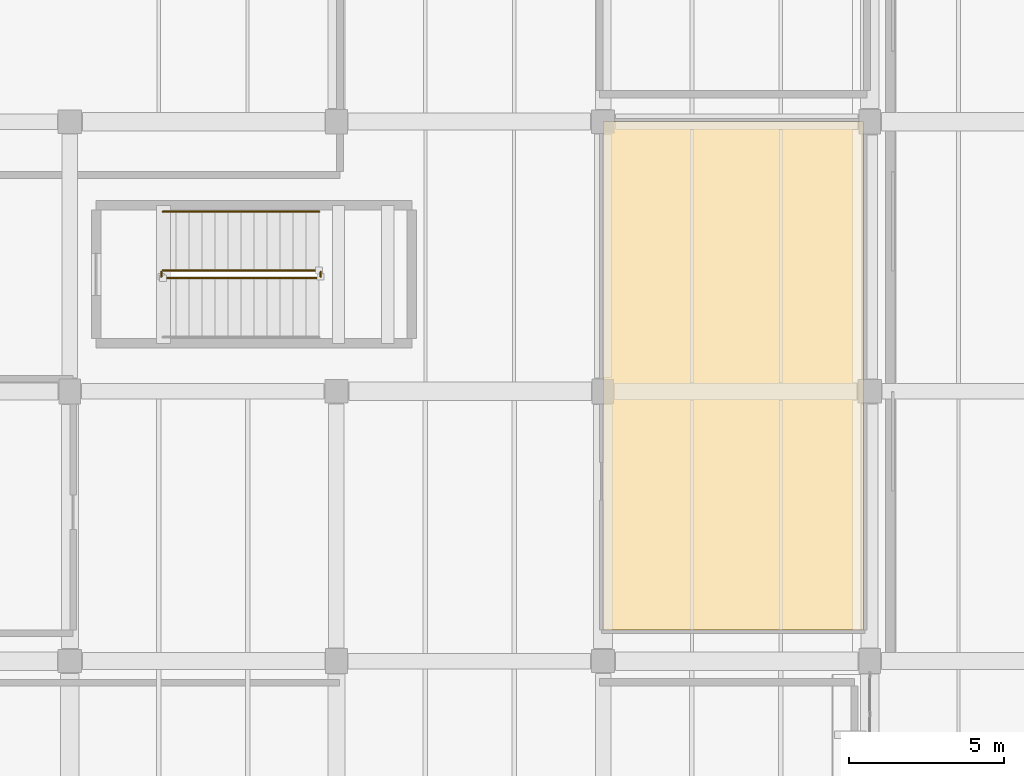
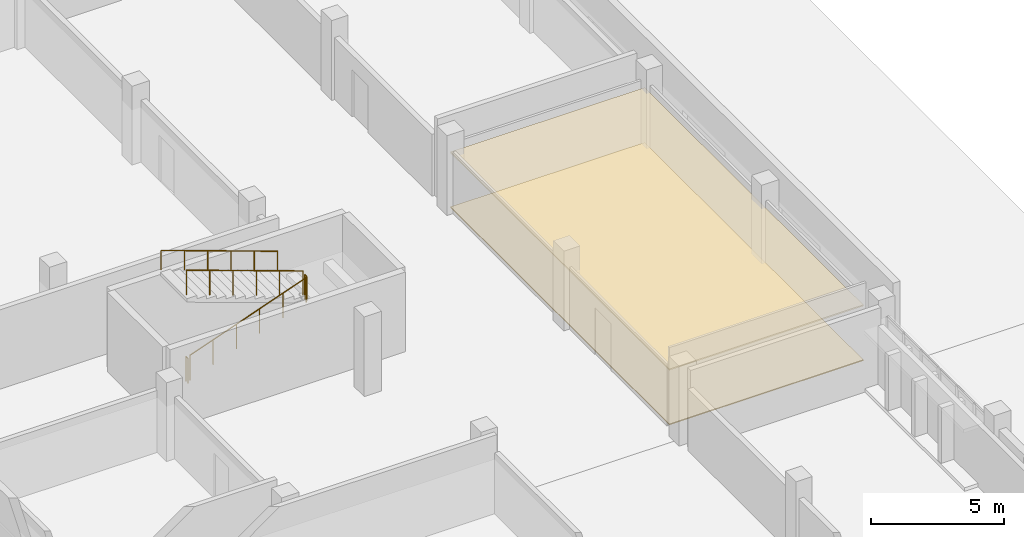
# One storey, part 78 of 80: 5 railings, 2 coverings.
"""IFC4 building model written with IfcOpenShell, lengths in metres."""

from ifc_helpers import new_model, si_unit, direction, frame, origin, origin_2d, place, context, subcontext, project, spatial, polyline, circle, outline, extrude, material, layer, layer_set, type_object, element, save


model = new_model("IFC4")

# Units and contexts
model_context = context("Model", 3, precision=1e-05, world=origin(), true_north=direction((0.0, 1.0)))
body_context = subcontext(model_context, "Body", "Model", "MODEL_VIEW")
ifc_project = project(units=[si_unit("LENGTHUNIT", "METRE"), si_unit("AREAUNIT", "SQUARE_METRE"), si_unit("VOLUMEUNIT", "CUBIC_METRE"), si_unit("PLANEANGLEUNIT", "RADIAN"), si_unit("MASSUNIT", "GRAM", prefix="KILO")], contexts=[model_context])

# Site, building, storey
site_placement = place(None, origin())
site = spatial("IfcSite", under=ifc_project, at=site_placement, CompositionType="ELEMENT")
building_placement = place(site_placement, origin())
building = spatial("IfcBuilding", under=site, at=building_placement, Name="Varnakota Cinema and Media Centre", CompositionType="ELEMENT")
storey_placement = place(building_placement, frame((0.0, 0.0, 4.5)))
storey = spatial("IfcBuildingStorey", under=building, at=storey_placement, Name="L01", CompositionType="ELEMENT", Elevation=4.5)

# Coverings
ifc_material_1 = material(Name="Autoclaved aerated concrete blockwork", Category="masonry")
ifc_layer_1 = layer(ifc_material_1, 0.06005859375)
ifc_layer_set_1 = layer_set([ifc_layer_1], Name="Autoclaved aerated concrete blockwork")
covering_type_1 = type_object("IfcCoveringType", Name="COV-ACOUST-CEIL-60", PredefinedType="CEILING", material=ifc_layer_set_1)
covering_1_placement = place(storey_placement, frame((0.0, 0.0, 2.5)))
element("IfcCovering", 1, at=covering_1_placement, inside=storey, type_object=covering_type_1, Name="L01 Non-Linear Editing Suite Wing acoustic baffle ceiling", PredefinedType="CEILING", context=body_context, shape_type="SweptSolid", body=[
    extrude(outline(polyline([(25.800048828125, 79.199951171875), (34.199951171875, 79.199951171875), (34.199951171875, 95.60009765625), (25.800048828125, 95.60009765625), (25.800048828125, 79.199951171875)])), origin(), (0.0, 0.0, 1.0), 0.06005859375),
])
ifc_material_2 = material(Name="Deccan grey granite ashlar", Category="masonry")
ifc_layer_2 = layer(ifc_material_2, 0.044921875)
ifc_layer_set_2 = layer_set([ifc_layer_2], Name="Deccan grey granite ashlar")
covering_type_2 = type_object("IfcCoveringType", Name="COV-STUDIO-FLR-45", PredefinedType="FLOORING", material=ifc_layer_set_2)
covering_2_placement = place(storey_placement, origin())
element("IfcCovering", 2, at=covering_2_placement, inside=storey, type_object=covering_type_2, Name="L01 Non-Linear Editing Suite Wing isolated studio floor finish", PredefinedType="FLOORING", context=body_context, shape_type="SweptSolid", body=[
    extrude(outline(polyline([(25.800048828125, 79.199951171875), (34.199951171875, 79.199951171875), (34.199951171875, 95.60009765625), (25.800048828125, 95.60009765625), (25.800048828125, 79.199951171875)])), origin(), (0.0, 0.0, 1.0), 0.044921875),
])

# Railings
ifc_material_3 = material(Name="Structural steel Grade 350 (E350)", Category="steel")
ifc_layer_3 = layer(ifc_material_3, 0.050048828125)
ifc_layer_set_3 = layer_set([ifc_layer_3], Name="Structural steel Grade 350 (E350)")
railing_type_1 = type_object("IfcRailingType", Name="RAIL-STAIR-GUARD-1150", PredefinedType="GUARDRAIL", material=ifc_layer_set_3)
railing_1_placement = place(storey_placement, frame((11.60009765625, 90.550048828125, 0.14990234375)))
element("IfcRailing", 3, at=railing_1_placement, inside=storey, type_object=railing_type_1, Name="L01 ST-05 stair guard 1", PredefinedType="GUARDRAIL", context=body_context, shape_type="SweptSolid", body=[
    extrude(circle(Radius=0.02392578125, at=origin_2d()), frame((0.0, 0.0, 1.1259765625), z_axis=(0.941734686483, 0.0, 0.336356626626), x_axis=(0.0, 1.0, 0.0)), (0.0, 0.0, 1.0), 5.3515625),
    extrude(circle(Radius=0.02099609375, at=origin_2d()), origin(), (0.0, 0.0, 1.0), 1.101806640625),
    extrude(circle(Radius=0.02099609375, at=origin_2d()), frame((1.008056640625, 0.0, 0.360107421875)), (0.0, 0.0, 1.0), 1.101806640625),
    extrude(circle(Radius=0.02099609375, at=origin_2d()), frame((2.015869140625, 0.0, 0.719970703125)), (0.0, 0.0, 1.0), 1.101806640625),
    extrude(circle(Radius=0.02099609375, at=origin_2d()), frame((3.02392578125, 0.0, 1.080078125)), (0.0, 0.0, 1.0), 1.101806640625),
    extrude(circle(Radius=0.02099609375, at=origin_2d()), frame((4.03173828125, 0.0, 1.43994140625)), (0.0, 0.0, 1.0), 1.101806640625),
    extrude(circle(Radius=0.02099609375, at=origin_2d()), frame((5.039794921875, 0.0, 1.800048828125)), (0.0, 0.0, 1.0), 1.101806640625),
])
railing_2_placement = place(storey_placement, frame((16.68994140625, 90.60009765625, 1.949951171875)))
element("IfcRailing", 4, at=railing_2_placement, inside=storey, type_object=railing_type_1, Name="L01 ST-05 stair guard 2", PredefinedType="GUARDRAIL", context=body_context, shape_type="SweptSolid", body=[
    extrude(circle(Radius=0.02392578125, at=origin_2d()), frame((0.0, 0.0, 1.1259765625), z_axis=(0.0, 1.0, 0.0), x_axis=(-1.0, 0.0, 0.0)), (0.0, 0.0, 1.0), 0.14990234375),
    extrude(circle(Radius=0.02099609375, at=origin_2d()), origin(), (0.0, 0.0, 1.0), 1.101806640625),
    extrude(circle(Radius=0.02099609375, at=origin_2d()), frame((0.0, 0.14990234375, 0.0)), (0.0, 0.0, 1.0), 1.101806640625),
])
railing_3_placement = place(storey_placement, frame((16.639892578125, 90.800048828125, 2.10009765625)))
element("IfcRailing", 5, at=railing_3_placement, inside=storey, type_object=railing_type_1, Name="L01 ST-05 stair guard 3", PredefinedType="GUARDRAIL", context=body_context, shape_type="SweptSolid", body=[
    extrude(circle(Radius=0.02392578125, at=origin_2d()), frame((0.0, 0.0, 1.1259765625), z_axis=(-0.941749136383, 0.0, 0.336316166905), x_axis=(0.0, -1.0, 0.0)), (0.0, 0.0, 1.0), 5.3515625),
    extrude(circle(Radius=0.02099609375, at=origin_2d()), origin(), (0.0, 0.0, 1.0), 1.101806640625),
    extrude(circle(Radius=0.02099609375, at=origin_2d()), frame((-1.008056640625, 0.0, 0.35986328125)), (0.0, 0.0, 1.0), 1.101806640625),
    extrude(circle(Radius=0.02099609375, at=origin_2d()), frame((-2.015869140625, 0.0, 0.719970703125)), (0.0, 0.0, 1.0), 1.101806640625),
    extrude(circle(Radius=0.02099609375, at=origin_2d()), frame((-3.02392578125, 0.0, 1.079833984375)), (0.0, 0.0, 1.0), 1.101806640625),
    extrude(circle(Radius=0.02099609375, at=origin_2d()), frame((-4.03173828125, 0.0, 1.43994140625)), (0.0, 0.0, 1.0), 1.101806640625),
    extrude(circle(Radius=0.02099609375, at=origin_2d()), frame((-5.039794921875, 0.0, 1.7998046875)), (0.0, 0.0, 1.0), 1.101806640625),
])
railing_4_placement = place(storey_placement, frame((11.550048828125, 90.60009765625, 0.0)))
element("IfcRailing", 6, at=railing_4_placement, inside=storey, type_object=railing_type_1, Name="L01 ST-05 stair guard 4", PredefinedType="GUARDRAIL", context=body_context, shape_type="SweptSolid", body=[
    extrude(circle(Radius=0.02392578125, at=origin_2d()), frame((0.0, 0.0, 1.1259765625), z_axis=(0.0, 1.0, 0.0), x_axis=(-1.0, 0.0, 0.0)), (0.0, 0.0, 1.0), 0.14990234375),
    extrude(circle(Radius=0.02099609375, at=origin_2d()), origin(), (0.0, 0.0, 1.0), 1.101806640625),
    extrude(circle(Radius=0.02099609375, at=origin_2d()), frame((0.0, 0.14990234375, 0.0)), (0.0, 0.0, 1.0), 1.101806640625),
])
ifc_material_4 = material(Name="Structural steel Grade 350 (E350)", Category="steel")
ifc_layer_4 = layer(ifc_material_4, 0.048095703125)
ifc_layer_set_4 = layer_set([ifc_layer_4], Name="Structural steel Grade 350 (E350)")
railing_type_2 = type_object("IfcRailingType", Name="RAIL-STAIR-HAND-900", PredefinedType="HANDRAIL", material=ifc_layer_set_4)
railing_5_placement = place(storey_placement, frame((16.639892578125, 92.699951171875, 2.10009765625)))
element("IfcRailing", 7, at=railing_5_placement, inside=storey, type_object=railing_type_2, Name="L01 ST-05 stair handrail 2", PredefinedType="HANDRAIL", context=body_context, shape_type="SweptSolid", body=[
    extrude(circle(Radius=0.02392578125, at=origin_2d()), frame((0.0, 0.0, 0.8759765625), z_axis=(-0.941749136383, 0.0, 0.336316166905), x_axis=(0.0, -1.0, 0.0)), (0.0, 0.0, 1.0), 5.3515625),
    extrude(circle(Radius=0.02099609375, at=origin_2d()), origin(), (0.0, 0.0, 1.0), 0.851806640625),
    extrude(circle(Radius=0.02099609375, at=origin_2d()), frame((-1.008056640625, 0.0, 0.35986328125)), (0.0, 0.0, 1.0), 0.851806640625),
    extrude(circle(Radius=0.02099609375, at=origin_2d()), frame((-2.015869140625, 0.0, 0.719970703125)), (0.0, 0.0, 1.0), 0.851806640625),
    extrude(circle(Radius=0.02099609375, at=origin_2d()), frame((-3.02392578125, 0.0, 1.079833984375)), (0.0, 0.0, 1.0), 0.851806640625),
    extrude(circle(Radius=0.02099609375, at=origin_2d()), frame((-4.03173828125, 0.0, 1.43994140625)), (0.0, 0.0, 1.0), 0.851806640625),
    extrude(circle(Radius=0.02099609375, at=origin_2d()), frame((-5.039794921875, 0.0, 1.7998046875)), (0.0, 0.0, 1.0), 0.851806640625),
])

save(model, "model.ifc")
